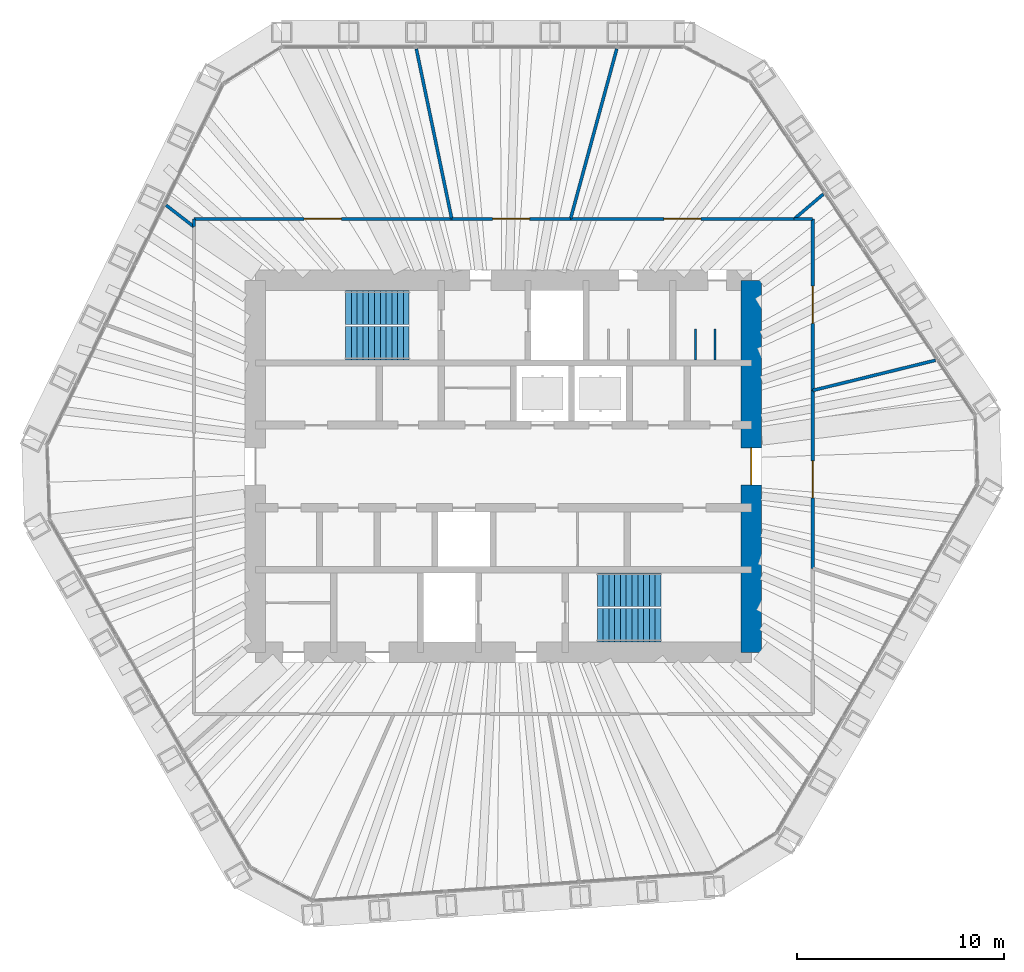
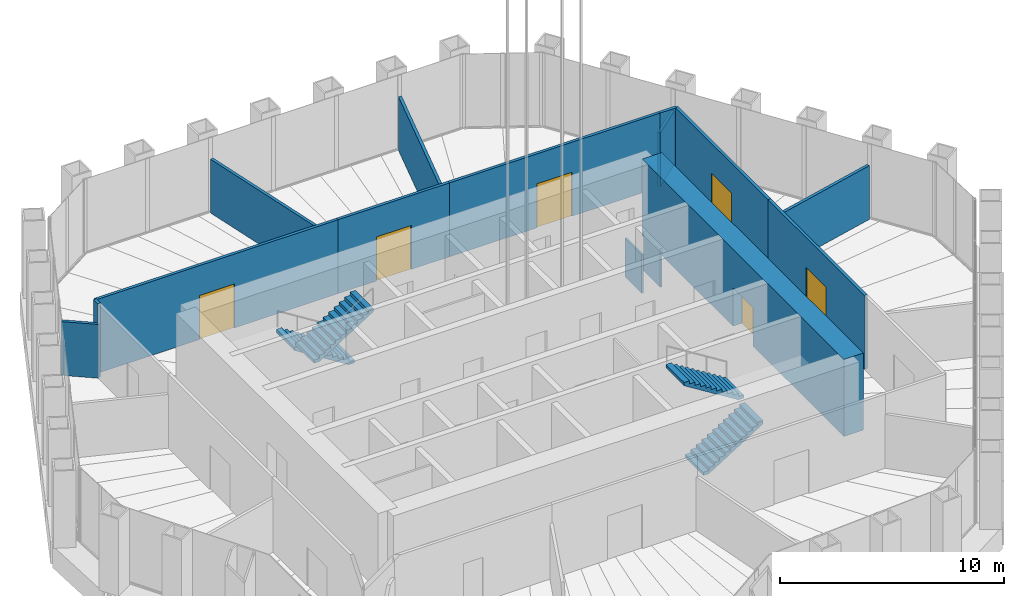
# One storey, part 13 of 19: 15 walls, 6 doors, 4 stair flights, 6 openings, 2 elements without a shape of their own.
"""IFC4 building model written with IfcOpenShell, lengths in metres."""

from ifc_helpers import new_model, si_unit, direction, frame, frame_2d, origin, place, context, subcontext, project, spatial, polyline, rectangle, outline, extrude, material, layer, layer_set, type_object, element, fill, aggregate, save


model = new_model("IFC4")

# Units and contexts
model_context = context("Model", 3, precision=1e-05, world=origin(), true_north=direction((0.0, 1.0)))
body_context = subcontext(model_context, "Body", "Model", "MODEL_VIEW")
ifc_project = project(units=[si_unit("LENGTHUNIT", "METRE"), si_unit("AREAUNIT", "SQUARE_METRE"), si_unit("VOLUMEUNIT", "CUBIC_METRE"), si_unit("PLANEANGLEUNIT", "RADIAN"), si_unit("MASSUNIT", "GRAM", prefix="KILO")], contexts=[model_context])

# Site, building, storey
site_placement = place(None, origin())
site = spatial("IfcSite", under=ifc_project, at=site_placement, CompositionType="ELEMENT")
building_placement = place(site_placement, origin())
building = spatial("IfcBuilding", under=site, at=building_placement, Name="Qingtian Harvest Tower", CompositionType="ELEMENT")
storey_placement = place(building_placement, frame((0.0, 0.0, 262.0)))
storey = spatial("IfcBuildingStorey", under=building, at=storey_placement, Name="L57", CompositionType="ELEMENT", Elevation=262.0)

# Wall, opening, door
ifc_material_1 = material(Name="Concrete fc' 70 MPa", Category="concrete")
ifc_layer_1 = layer(ifc_material_1, 1.0)
ifc_layer_set_1 = layer_set([ifc_layer_1], Name="Core wall RC3 1000")
wall_type_1 = type_object("IfcWallType", Name="Core wall RC3 1000", PredefinedType="SHEAR", material=ifc_layer_set_1)
wall_1_placement = place(storey_placement, frame((12.0, -9.0, 0.0), z_axis=(0.0, 0.0, 1.0), x_axis=(0.0, 1.0, 0.0)))
wall_1 = element("IfcWall", 1, at=wall_1_placement, inside=storey, type_object=wall_type_1, Name="Core wall CE L57", PredefinedType="SHEAR", context=body_context, shape_type="SweptSolid", body=[
    extrude(rectangle(XDim=18.0, YDim=1.0, at=frame_2d((9.0, 0.0))), origin(), (0.0, 0.0, 1.0), 4.199951171875),
])
opening_1_placement = place(wall_1_placement, frame((8.10009765625, 0.0, 0.0)))
opening_1 = element("IfcOpeningElement", 2, at=opening_1_placement, cuts=wall_1, Name="Opening FD2", PredefinedType="OPENING", context=body_context, shape_type="SweptSolid", body=[
    extrude(rectangle(XDim=1.800048828125, YDim=2.10009765625, at=frame_2d((0.89990234375, 1.050048828125))), frame((0.0, 0.510009765625, 0.0), z_axis=(0.0, -1.0, 0.0), x_axis=(1.0, 0.0, 0.0)), (0.0, 0.0, 1.0), 1.02001953125),
])
ifc_material_2 = material(Name="Steel-faced door leaf", Category="steel")
door_type_1 = type_object("IfcDoorType", Name="Fire door FD2 double 1 HR", OperationType="DOUBLE_DOOR_DOUBLE_SWING", PredefinedType="DOOR", material=ifc_material_2)
door_1_placement = place(opening_1_placement, origin())
door_1 = element("IfcDoor", 3, at=door_1_placement, inside=storey, type_object=door_type_1, Name="LOBBY-E door L57", OperationType="DOUBLE_DOOR_DOUBLE_SWING", OverallHeight=2.10009765625, OverallWidth=1.800048828125, PredefinedType="DOOR", context=body_context, shape_type="SweptSolid", body=[
    extrude(rectangle(XDim=1.800048828125, YDim=2.10009765625, at=frame_2d((0.89990234375, 1.050048828125))), frame((0.0, 0.02490234375, 0.0), z_axis=(0.0, -1.0, 0.0), x_axis=(1.0, 0.0, 0.0)), (0.0, 0.0, 1.0), 0.050048828125),
])
fill(opening_1, door_1)

# Walls
ifc_material_3 = material(Name="Gypsum board on steel studs", Category="steel")
ifc_layer_2 = layer(ifc_material_3, 0.14990234375)
ifc_layer_set_2 = layer_set([ifc_layer_2], Name="Partition PT1 150")
wall_type_2 = type_object("IfcWallType", Name="Partition PT1 150", PredefinedType="PARTITIONING", material=ifc_layer_set_2)
wall_2_placement = place(storey_placement, frame((-16.313720703125, 12.63623046875, 0.0), z_axis=(0.0, 0.0, 1.0), x_axis=(0.790507537632, -0.612452310753, 0.0)))
element("IfcWall", 4, at=wall_2_placement, inside=storey, type_object=wall_type_2, Name="Conference room wall L57", PredefinedType="PARTITIONING", context=body_context, shape_type="SweptSolid", body=[
    extrude(rectangle(XDim=1.693359375, YDim=0.14990234375, at=frame_2d((0.8466796875, 0.0))), origin(), (0.0, 0.0, 1.0), 2.929931640625),
])
wall_3_placement = place(storey_placement, frame((-14.97509765625, 11.59912109375, 0.0), z_axis=(0.0, 0.0, 1.0), x_axis=(0.0, 1.0, 0.0)))
element("IfcWall", 5, at=wall_3_placement, inside=storey, type_object=wall_type_2, Name="Conference room wall L57", PredefinedType="PARTITIONING", context=body_context, shape_type="SweptSolid", body=[
    extrude(rectangle(XDim=0.3759765625, YDim=0.14990234375, at=frame_2d((0.18798828125, 0.0))), origin(), (0.0, 0.0, 1.0), 4.030029296875),
])

# Wall, opening, door
wall_4_placement = place(storey_placement, frame((-14.97509765625, 11.97509765625, 0.0), z_axis=(0.0, 0.0, 1.0), x_axis=(1.0, 0.0, 0.0)))
wall_4 = element("IfcWall", 6, at=wall_4_placement, inside=storey, type_object=wall_type_2, Name="Conference room wall L57", PredefinedType="PARTITIONING", context=body_context, shape_type="SweptSolid", body=[
    extrude(rectangle(XDim=12.48193359375, YDim=0.14990234375, at=frame_2d((6.240966796875, 0.0))), origin(), (0.0, 0.0, 1.0), 4.030029296875),
])
opening_2_placement = place(wall_4_placement, frame((5.341064453125, 0.0, 0.0)))
opening_2 = element("IfcOpeningElement", 7, at=opening_2_placement, cuts=wall_4, Name="Opening D3", PredefinedType="OPENING", context=body_context, shape_type="SweptSolid", body=[
    extrude(rectangle(XDim=1.800048828125, YDim=2.39990234375, at=frame_2d((0.89990234375, 1.199951171875))), frame((0.0, 0.0849609375, 0.0), z_axis=(0.0, -1.0, 0.0), x_axis=(1.0, 0.0, 0.0)), (0.0, 0.0, 1.0), 0.169921875),
])
ifc_material_4 = material(Name="Laminated timber door leaf", Category="wood")
door_type_2 = type_object("IfcDoorType", Name="Room door D3 double", OperationType="DOUBLE_DOOR_DOUBLE_SWING", PredefinedType="DOOR", material=ifc_material_4)
door_2_placement = place(opening_2_placement, origin())
door_2 = element("IfcDoor", 8, at=door_2_placement, inside=storey, type_object=door_type_2, Name="Conference room door L57", OperationType="DOUBLE_DOOR_DOUBLE_SWING", OverallHeight=2.39990234375, OverallWidth=1.800048828125, PredefinedType="DOOR", context=body_context, shape_type="SweptSolid", body=[
    extrude(rectangle(XDim=1.800048828125, YDim=2.39990234375, at=frame_2d((0.89990234375, 1.199951171875))), frame((0.0, 0.02490234375, 0.0), z_axis=(0.0, -1.0, 0.0), x_axis=(1.0, 0.0, 0.0)), (0.0, 0.0, 1.0), 0.050048828125),
])
fill(opening_2, door_2)

# Wall
wall_5_placement = place(storey_placement, frame((-4.205810546875, 20.2021484375, 0.0), z_axis=(0.0, 0.0, 1.0), x_axis=(0.203803429956, -0.979011829315, 0.0)))
element("IfcWall", 9, at=wall_5_placement, inside=storey, type_object=wall_type_2, Name="Reception wall L57", PredefinedType="PARTITIONING", context=body_context, shape_type="SweptSolid", body=[
    extrude(rectangle(XDim=8.4033203125, YDim=0.14990234375, at=frame_2d((4.20166015625, 0.0))), origin(), (0.0, 0.0, 1.0), 2.929931640625),
])

# Wall, opening, door
wall_6_placement = place(storey_placement, frame((-2.4931640625, 11.97509765625, 0.0), z_axis=(0.0, 0.0, 1.0), x_axis=(1.0, 0.0, 0.0)))
wall_6 = element("IfcWall", 10, at=wall_6_placement, inside=storey, type_object=wall_type_2, Name="Reception wall L57", PredefinedType="PARTITIONING", context=body_context, shape_type="SweptSolid", body=[
    extrude(rectangle(XDim=5.748046875, YDim=0.14990234375, at=frame_2d((2.8740234375, 0.0))), origin(), (0.0, 0.0, 1.0), 4.030029296875),
])
opening_3_placement = place(wall_6_placement, frame((1.97412109375, 0.0, 0.0)))
opening_3 = element("IfcOpeningElement", 11, at=opening_3_placement, cuts=wall_6, Name="Opening D3", PredefinedType="OPENING", context=body_context, shape_type="SweptSolid", body=[
    extrude(rectangle(XDim=1.800048828125, YDim=2.39990234375, at=frame_2d((0.89990234375, 1.199951171875))), frame((0.0, 0.0849609375, 0.0), z_axis=(0.0, -1.0, 0.0), x_axis=(1.0, 0.0, 0.0)), (0.0, 0.0, 1.0), 0.169921875),
])
door_3_placement = place(opening_3_placement, origin())
door_3 = element("IfcDoor", 12, at=door_3_placement, inside=storey, type_object=door_type_2, Name="Reception door L57", OperationType="DOUBLE_DOOR_DOUBLE_SWING", OverallHeight=2.39990234375, OverallWidth=1.800048828125, PredefinedType="DOOR", context=body_context, shape_type="SweptSolid", body=[
    extrude(rectangle(XDim=1.800048828125, YDim=2.39990234375, at=frame_2d((0.89990234375, 1.199951171875))), frame((0.0, 0.02490234375, 0.0), z_axis=(0.0, -1.0, 0.0), x_axis=(1.0, 0.0, 0.0)), (0.0, 0.0, 1.0), 0.050048828125),
])
fill(opening_3, door_3)

# Wall
wall_7_placement = place(storey_placement, frame((5.49169921875, 20.20361328125, 0.0), z_axis=(0.0, 0.0, 1.0), x_axis=(-0.262317847929, -0.964981526589, 0.0)))
element("IfcWall", 13, at=wall_7_placement, inside=storey, type_object=wall_type_2, Name="Cafe wall L57", PredefinedType="PARTITIONING", context=body_context, shape_type="SweptSolid", body=[
    extrude(rectangle(XDim=8.527099609375, YDim=0.14990234375, at=frame_2d((4.263671875, 0.0))), origin(), (0.0, 0.0, 1.0), 2.929931640625),
])

# Wall, opening, door
wall_8_placement = place(storey_placement, frame((3.2548828125, 11.97509765625, 0.0), z_axis=(0.0, 0.0, 1.0), x_axis=(1.0, 0.0, 0.0)))
wall_8 = element("IfcWall", 14, at=wall_8_placement, inside=storey, type_object=wall_type_2, Name="Cafe wall L57", PredefinedType="PARTITIONING", context=body_context, shape_type="SweptSolid", body=[
    extrude(rectangle(XDim=10.82568359375, YDim=0.14990234375, at=frame_2d((5.412841796875, 0.0))), origin(), (0.0, 0.0, 1.0), 4.030029296875),
])
opening_4_placement = place(wall_8_placement, frame((4.5126953125, 0.0, 0.0)))
opening_4 = element("IfcOpeningElement", 15, at=opening_4_placement, cuts=wall_8, Name="Opening D3", PredefinedType="OPENING", context=body_context, shape_type="SweptSolid", body=[
    extrude(rectangle(XDim=1.800048828125, YDim=2.39990234375, at=frame_2d((0.89990234375, 1.199951171875))), frame((0.0, 0.0849609375, 0.0), z_axis=(0.0, -1.0, 0.0), x_axis=(1.0, 0.0, 0.0)), (0.0, 0.0, 1.0), 0.169921875),
])
door_4_placement = place(opening_4_placement, origin())
door_4 = element("IfcDoor", 16, at=door_4_placement, inside=storey, type_object=door_type_2, Name="Cafe door L57", OperationType="DOUBLE_DOOR_DOUBLE_SWING", OverallHeight=2.39990234375, OverallWidth=1.800048828125, PredefinedType="DOOR", context=body_context, shape_type="SweptSolid", body=[
    extrude(rectangle(XDim=1.800048828125, YDim=2.39990234375, at=frame_2d((0.89990234375, 1.199951171875))), frame((0.0, 0.02490234375, 0.0), z_axis=(0.0, -1.0, 0.0), x_axis=(1.0, 0.0, 0.0)), (0.0, 0.0, 1.0), 0.050048828125),
])
fill(opening_4, door_4)

# Walls
wall_9_placement = place(storey_placement, frame((15.48388671875, 13.168701171875, 0.0), z_axis=(0.0, 0.0, 1.0), x_axis=(-0.761730014246, -0.647894578923, 0.0)))
element("IfcWall", 17, at=wall_9_placement, inside=storey, type_object=wall_type_2, Name="Concierge office wall L57", PredefinedType="PARTITIONING", context=body_context, shape_type="SweptSolid", body=[
    extrude(rectangle(XDim=1.84228515625, YDim=0.14990234375, at=frame_2d((0.921142578125, 0.0))), origin(), (0.0, 0.0, 1.0), 2.929931640625),
])
wall_10_placement = place(storey_placement, frame((14.08056640625, 11.97509765625, 0.0), z_axis=(0.0, 0.0, 1.0), x_axis=(1.0, 0.0, 0.0)))
element("IfcWall", 18, at=wall_10_placement, inside=storey, type_object=wall_type_2, Name="Concierge office wall L57", PredefinedType="PARTITIONING", context=body_context, shape_type="SweptSolid", body=[
    extrude(rectangle(XDim=0.89453125, YDim=0.14990234375, at=frame_2d((0.447265625, 0.0))), origin(), (0.0, 0.0, 1.0), 4.030029296875),
])

# Wall, opening, door
wall_11_placement = place(storey_placement, frame((14.97509765625, 11.97509765625, 0.0), z_axis=(0.0, 0.0, 1.0), x_axis=(0.0, -1.0, 0.0)))
wall_11 = element("IfcWall", 19, at=wall_11_placement, inside=storey, type_object=wall_type_2, Name="Concierge office wall L57", PredefinedType="PARTITIONING", context=body_context, shape_type="SweptSolid", body=[
    extrude(rectangle(XDim=8.300537109375, YDim=0.14990234375, at=frame_2d((4.150390625, 0.0))), origin(), (0.0, 0.0, 1.0), 4.030029296875),
])
opening_5_placement = place(wall_11_placement, frame((3.250244140625, 0.0, 0.0)))
opening_5 = element("IfcOpeningElement", 20, at=opening_5_placement, cuts=wall_11, Name="Opening D3", PredefinedType="OPENING", context=body_context, shape_type="SweptSolid", body=[
    extrude(rectangle(XDim=1.800048828125, YDim=2.39990234375, at=frame_2d((0.89990234375, 1.199951171875))), frame((0.0, 0.0849609375, 0.0), z_axis=(0.0, -1.0, 0.0), x_axis=(1.0, 0.0, 0.0)), (0.0, 0.0, 1.0), 0.169921875),
])
door_5_placement = place(opening_5_placement, origin())
door_5 = element("IfcDoor", 21, at=door_5_placement, inside=storey, type_object=door_type_2, Name="Concierge office door L57", OperationType="DOUBLE_DOOR_DOUBLE_SWING", OverallHeight=2.39990234375, OverallWidth=1.800048828125, PredefinedType="DOOR", context=body_context, shape_type="SweptSolid", body=[
    extrude(rectangle(XDim=1.800048828125, YDim=2.39990234375, at=frame_2d((0.89990234375, 1.199951171875))), frame((0.0, 0.02490234375, 0.0), z_axis=(0.0, -1.0, 0.0), x_axis=(1.0, 0.0, 0.0)), (0.0, 0.0, 1.0), 0.050048828125),
])
fill(opening_5, door_5)

# Wall
wall_12_placement = place(storey_placement, frame((20.911865234375, 5.13134765625, 0.0), z_axis=(0.0, 0.0, 1.0), x_axis=(-0.971188174719, -0.238313930113, 0.0)))
element("IfcWall", 22, at=wall_12_placement, inside=storey, type_object=wall_type_2, Name="Meeting room wall L57", PredefinedType="PARTITIONING", context=body_context, shape_type="SweptSolid", body=[
    extrude(rectangle(XDim=6.11279296875, YDim=0.14990234375, at=frame_2d((3.056396484375, 0.0))), origin(), (0.0, 0.0, 1.0), 2.929931640625),
])

# Wall, opening, door
wall_13_placement = place(storey_placement, frame((14.97509765625, 3.674560546875, 0.0), z_axis=(0.0, 0.0, 1.0), x_axis=(0.0, -1.0, 0.0)))
wall_13 = element("IfcWall", 23, at=wall_13_placement, inside=storey, type_object=wall_type_2, Name="Meeting room wall L57", PredefinedType="PARTITIONING", context=body_context, shape_type="SweptSolid", body=[
    extrude(rectangle(XDim=8.609619140625, YDim=0.14990234375, at=frame_2d((4.3046875, 0.0))), origin(), (0.0, 0.0, 1.0), 4.030029296875),
])
opening_6_placement = place(wall_13_placement, frame((3.40478515625, 0.0, 0.0)))
opening_6 = element("IfcOpeningElement", 24, at=opening_6_placement, cuts=wall_13, Name="Opening D3", PredefinedType="OPENING", context=body_context, shape_type="SweptSolid", body=[
    extrude(rectangle(XDim=1.800048828125, YDim=2.39990234375, at=frame_2d((0.89990234375, 1.199951171875))), frame((0.0, 0.0849609375, 0.0), z_axis=(0.0, -1.0, 0.0), x_axis=(1.0, 0.0, 0.0)), (0.0, 0.0, 1.0), 0.169921875),
])
door_6_placement = place(opening_6_placement, origin())
door_6 = element("IfcDoor", 25, at=door_6_placement, inside=storey, type_object=door_type_2, Name="Meeting room door L57", OperationType="DOUBLE_DOOR_DOUBLE_SWING", OverallHeight=2.39990234375, OverallWidth=1.800048828125, PredefinedType="DOOR", context=body_context, shape_type="SweptSolid", body=[
    extrude(rectangle(XDim=1.800048828125, YDim=2.39990234375, at=frame_2d((0.89990234375, 1.199951171875))), frame((0.0, 0.02490234375, 0.0), z_axis=(0.0, -1.0, 0.0), x_axis=(1.0, 0.0, 0.0)), (0.0, 0.0, 1.0), 0.050048828125),
])
fill(opening_6, door_6)

# Walls
ifc_material_5 = material(Name="Compact laminate cubicle partition", Category="plastic")
ifc_layer_3 = layer(ifc_material_5, 0.10009765625)
ifc_layer_set_3 = layer_set([ifc_layer_3], Name="WC cubicle partition WP1 100")
wall_type_3 = type_object("IfcWallType", Name="WC cubicle partition WP1 100", PredefinedType="PARTITIONING", material=ifc_layer_set_3)
for number, where, z_axis, x_axis, name in (
    (26, (9.300048828125, 5.14990234375, 0.0), (0.0, 0.0, 1.0), (0.0, 1.0, 0.0), "WC cubicle partition WCF L57"),
    (27, (10.25, 5.14990234375, 0.0), (0.0, 0.0, 1.0), (0.0, 1.0, 0.0), "WC cubicle partition WCF L57"),
):
    element("IfcWall", number, at=place(storey_placement, frame(where, z_axis=z_axis, x_axis=x_axis)), inside=storey, type_object=wall_type_3, Name=name, PredefinedType="PARTITIONING", context=body_context, shape_type="SweptSolid", body=[
        extrude(rectangle(XDim=1.5, YDim=0.10009765625, at=frame_2d((0.75, 0.0))), origin(), (0.0, 0.0, 1.0), 2.10009765625),
    ])

# Stair, stair flights
ifc_material_6 = material(Name="Concrete fc' 35 MPa", Category="concrete")
stair_type = type_object("IfcStairType", Name="Special stair ST6 4200", PredefinedType="HALF_TURN_STAIR", material=ifc_material_6)
stair_1_placement = place(storey_placement, origin())
stair_1 = element("IfcStair", 28, at=stair_1_placement, inside=storey, type_object=stair_type, Name="Special stair S1 L57", PredefinedType="HALF_TURN_STAIR")
ifc_material_7 = material(Name="Concrete fc' 35 MPa", Category="concrete")
stair_flight_type = type_object("IfcStairFlightType", Name="Stair flight SF6 4200", PredefinedType="STRAIGHT", material=ifc_material_7)
stair_flight_1_placement = place(storey_placement, frame((-4.550048828125, 7.6875, 0.0), z_axis=(0.0, 0.0, 1.0), x_axis=(-1.0, 0.0, 0.0)))
stair_flight_1 = element("IfcStairFlight", 29, at=stair_flight_1_placement, type_object=stair_flight_type, Name="S1 flight 1", NumberOfRisers=12, NumberOfTreads=11, PredefinedType="STRAIGHT", RiserHeight=0.175, TreadLength=0.28, context=body_context, shape_type="SweptSolid", body=[
    extrude(outline(polyline([(0.0, 0.0), (0.0, 0.175048828125), (0.280029296875, 0.175048828125), (0.280029296875, 0.35009765625), (0.56005859375, 0.35009765625), (0.56005859375, 0.52490234375), (0.840087890625, 0.52490234375), (0.840087890625, 0.699951171875), (1.1201171875, 0.699951171875), (1.1201171875, 0.875), (1.39990234375, 0.875), (1.39990234375, 1.050048828125), (1.679931640625, 1.050048828125), (1.679931640625, 1.22509765625), (1.9599609375, 1.22509765625), (1.9599609375, 1.39990234375), (2.239990234375, 1.39990234375), (2.239990234375, 1.574951171875), (2.52001953125, 1.574951171875), (2.52001953125, 1.75), (2.800048828125, 1.75), (2.800048828125, 1.925048828125), (3.080078125, 1.925048828125), (3.080078125, 2.10009765625), (3.080078125, 1.748291015625), (0.28271484375, 0.0), (0.0, 0.0)])), frame((0.0, 0.8125, 0.0), z_axis=(0.0, -1.0, 0.0), x_axis=(1.0, 0.0, 0.0)), (0.0, 0.0, 1.0), 1.625),
])
stair_flight_2_placement = place(storey_placement, frame((-7.6298828125, 5.96240234375, 2.10009765625), z_axis=(0.0, 0.0, 1.0), x_axis=(1.0, 0.0, 0.0)))
stair_flight_2 = element("IfcStairFlight", 30, at=stair_flight_2_placement, type_object=stair_flight_type, Name="S1 flight 2", NumberOfRisers=12, NumberOfTreads=11, PredefinedType="STRAIGHT", RiserHeight=0.175, TreadLength=0.28, context=body_context, shape_type="SweptSolid", body=[
    extrude(outline(polyline([(0.0, 0.0), (0.0, 0.175048828125), (0.280029296875, 0.175048828125), (0.280029296875, 0.35009765625), (0.56005859375, 0.35009765625), (0.56005859375, 0.52490234375), (0.840087890625, 0.52490234375), (0.840087890625, 0.699951171875), (1.1201171875, 0.699951171875), (1.1201171875, 0.875), (1.39990234375, 0.875), (1.39990234375, 1.050048828125), (1.679931640625, 1.050048828125), (1.679931640625, 1.22509765625), (1.9599609375, 1.22509765625), (1.9599609375, 1.39990234375), (2.239990234375, 1.39990234375), (2.239990234375, 1.574951171875), (2.52001953125, 1.574951171875), (2.52001953125, 1.75), (2.800048828125, 1.75), (2.800048828125, 1.925048828125), (3.080078125, 1.925048828125), (3.080078125, 2.10009765625), (3.080078125, 1.748291015625), (0.28271484375, 0.0), (0.0, 0.0)])), frame((0.0, 0.8125, 0.0), z_axis=(0.0, -1.0, 0.0), x_axis=(1.0, 0.0, 0.0)), (0.0, 0.0, 1.0), 1.625),
])
aggregate(stair_1, [stair_flight_1, stair_flight_2])

stair_2_placement = place(storey_placement, origin())
stair_2 = element("IfcStair", 31, at=stair_2_placement, inside=storey, type_object=stair_type, Name="Special stair S2 L57", PredefinedType="HALF_TURN_STAIR")
stair_flight_3_placement = place(storey_placement, frame((4.550048828125, -7.6875, 0.0), z_axis=(0.0, 0.0, 1.0), x_axis=(1.0, 0.0, 0.0)))
stair_flight_3 = element("IfcStairFlight", 32, at=stair_flight_3_placement, type_object=stair_flight_type, Name="S2 flight 1", NumberOfRisers=12, NumberOfTreads=11, PredefinedType="STRAIGHT", RiserHeight=0.175, TreadLength=0.28, context=body_context, shape_type="SweptSolid", body=[
    extrude(outline(polyline([(0.0, 0.0), (0.0, 0.175048828125), (0.280029296875, 0.175048828125), (0.280029296875, 0.35009765625), (0.56005859375, 0.35009765625), (0.56005859375, 0.52490234375), (0.840087890625, 0.52490234375), (0.840087890625, 0.699951171875), (1.1201171875, 0.699951171875), (1.1201171875, 0.875), (1.39990234375, 0.875), (1.39990234375, 1.050048828125), (1.679931640625, 1.050048828125), (1.679931640625, 1.22509765625), (1.9599609375, 1.22509765625), (1.9599609375, 1.39990234375), (2.239990234375, 1.39990234375), (2.239990234375, 1.574951171875), (2.52001953125, 1.574951171875), (2.52001953125, 1.75), (2.800048828125, 1.75), (2.800048828125, 1.925048828125), (3.080078125, 1.925048828125), (3.080078125, 2.10009765625), (3.080078125, 1.748291015625), (0.28271484375, 0.0), (0.0, 0.0)])), frame((0.0, 0.8125, 0.0), z_axis=(0.0, -1.0, 0.0), x_axis=(1.0, 0.0, 0.0)), (0.0, 0.0, 1.0), 1.625),
])
stair_flight_4_placement = place(storey_placement, frame((7.6298828125, -5.96240234375, 2.10009765625), z_axis=(0.0, 0.0, 1.0), x_axis=(-1.0, 0.0, 0.0)))
stair_flight_4 = element("IfcStairFlight", 33, at=stair_flight_4_placement, type_object=stair_flight_type, Name="S2 flight 2", NumberOfRisers=12, NumberOfTreads=11, PredefinedType="STRAIGHT", RiserHeight=0.175, TreadLength=0.28, context=body_context, shape_type="SweptSolid", body=[
    extrude(outline(polyline([(0.0, 0.0), (0.0, 0.175048828125), (0.280029296875, 0.175048828125), (0.280029296875, 0.35009765625), (0.56005859375, 0.35009765625), (0.56005859375, 0.52490234375), (0.840087890625, 0.52490234375), (0.840087890625, 0.699951171875), (1.1201171875, 0.699951171875), (1.1201171875, 0.875), (1.39990234375, 0.875), (1.39990234375, 1.050048828125), (1.679931640625, 1.050048828125), (1.679931640625, 1.22509765625), (1.9599609375, 1.22509765625), (1.9599609375, 1.39990234375), (2.239990234375, 1.39990234375), (2.239990234375, 1.574951171875), (2.52001953125, 1.574951171875), (2.52001953125, 1.75), (2.800048828125, 1.75), (2.800048828125, 1.925048828125), (3.080078125, 1.925048828125), (3.080078125, 2.10009765625), (3.080078125, 1.748291015625), (0.28271484375, 0.0), (0.0, 0.0)])), frame((0.0, 0.8125, 0.0), z_axis=(0.0, -1.0, 0.0), x_axis=(1.0, 0.0, 0.0)), (0.0, 0.0, 1.0), 1.625),
])
aggregate(stair_2, [stair_flight_3, stair_flight_4])

save(model, "model.ifc")
